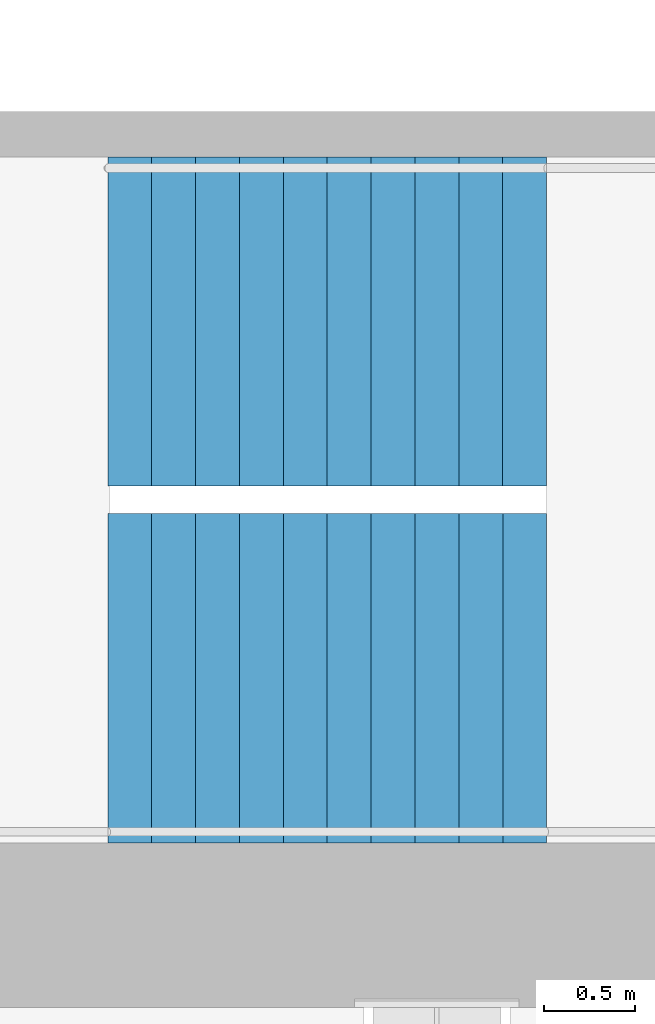
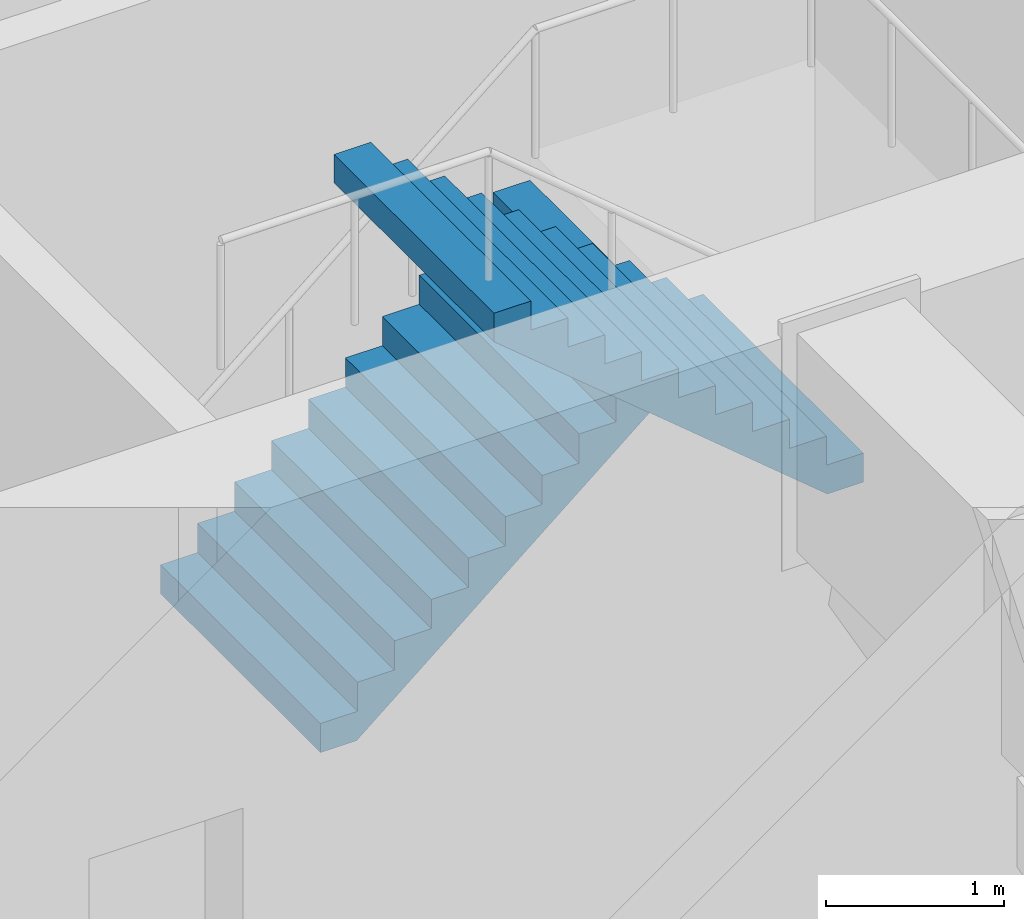
# One storey, part 30 of 33: 2 stair flights, 1 element without a shape of its own.
"""IFC4 building model written with IfcOpenShell, lengths in metres."""

from ifc_helpers import new_model, si_unit, direction, frame, origin, place, context, subcontext, project, spatial, triangles, material, type_object, element, aggregate, save


model = new_model("IFC4")

# Units and contexts
model_context = context("Model", 3, precision=1e-05, world=origin(), true_north=direction((0.0, 1.0)))
body_context = subcontext(model_context, "Body", "Model", "MODEL_VIEW")
ifc_project = project(units=[si_unit("LENGTHUNIT", "METRE"), si_unit("AREAUNIT", "SQUARE_METRE"), si_unit("VOLUMEUNIT", "CUBIC_METRE"), si_unit("PLANEANGLEUNIT", "RADIAN"), si_unit("MASSUNIT", "GRAM", prefix="KILO")], contexts=[model_context])

# Site, building, storey
site_placement = place(None, origin())
site = spatial("IfcSite", under=ifc_project, at=site_placement, CompositionType="ELEMENT")
building_placement = place(site_placement, origin())
building = spatial("IfcBuilding", under=site, at=building_placement, Name="Hakoniwa Tower and Hamabe Station Hall", CompositionType="ELEMENT")
storey_placement = place(building_placement, frame((0.0, 0.0, 175.800048828125)))
storey = spatial("IfcBuildingStorey", under=building, at=storey_placement, Name="L50", CompositionType="ELEMENT", Elevation=175.800048828125)

# Stair, stair flights
ifc_material_1 = material(Name="Concrete C40", Category="concrete")
stair_type = type_object("IfcStairType", Name="ESCAPE STAIR 1800", PredefinedType="HALF_TURN_STAIR", material=ifc_material_1)
stair_placement = place(storey_placement, origin())
stair = element("IfcStair", 1, at=stair_placement, inside=storey, type_object=stair_type, Name="Escape stair ST-4 L50", PredefinedType="HALF_TURN_STAIR")
ifc_material_2 = material(Name="Concrete C40", Category="concrete")
stair_flight_type = type_object("IfcStairFlightType", Name="STAIR FLIGHT 1800", PredefinedType="STRAIGHT", material=ifc_material_2)
stair_flight_1_placement = place(storey_placement, frame((23.39990234375, -4.64990234375, 0.0), z_axis=(0.0, 0.0, 1.0), x_axis=(1.0, 0.0, 0.0)))
stair_flight_1 = element("IfcStairFlight", 2, at=stair_flight_1_placement, type_object=stair_flight_type, Name="ST-4 flight 1", NumberOfRisers=11, NumberOfTreads=10, PredefinedType="STRAIGHT", RiserHeight=0.2, TreadLength=0.24, context=body_context, shape_type="Tessellation", body=[
    triangles([(0.0, 0.89990234375, 0.0), (0.234130859375, 0.89990234375, 0.0), (0.239990234375, 0.89990234375, 0.0048828125), (0.47998046875, 0.89990234375, 0.204833984375), (0.719970703125, 0.89990234375, 0.40478515625), (0.9599609375, 0.89990234375, 0.60498046875), (1.199951171875, 0.89990234375, 0.804931640625), (1.43994140625, 0.89990234375, 1.0048828125), (1.679931640625, 0.89990234375, 1.204833984375), (1.919921875, 0.89990234375, 1.40478515625), (2.159912109375, 0.89990234375, 1.60498046875), (2.39990234375, 0.89990234375, 1.804931640625), (2.39990234375, 0.89990234375, 2.0), (2.159912109375, 0.89990234375, 2.0), (2.159912109375, 0.89990234375, 1.800048828125), (1.919921875, 0.89990234375, 1.800048828125), (1.919921875, 0.89990234375, 1.60009765625), (1.679931640625, 0.89990234375, 1.60009765625), (1.679931640625, 0.89990234375, 1.39990234375), (1.43994140625, 0.89990234375, 1.39990234375), (1.43994140625, 0.89990234375, 1.199951171875), (1.199951171875, 0.89990234375, 1.199951171875), (1.199951171875, 0.89990234375, 1.0), (0.9599609375, 0.89990234375, 1.0), (0.9599609375, 0.89990234375, 0.800048828125), (0.719970703125, 0.89990234375, 0.800048828125), (0.719970703125, 0.89990234375, 0.60009765625), (0.47998046875, 0.89990234375, 0.60009765625), (0.47998046875, 0.89990234375, 0.39990234375), (0.239990234375, 0.89990234375, 0.39990234375), (0.239990234375, 0.89990234375, 0.199951171875), (0.234130859375, 0.89990234375, 0.199951171875), (0.0, 0.89990234375, 0.199951171875), (0.0, 0.06005859375, 0.0), (0.234130859375, 0.06005859375, 0.0), (0.239990234375, 0.06005859375, 0.0048828125), (0.47998046875, 0.06005859375, 0.204833984375), (0.719970703125, 0.06005859375, 0.40478515625), (0.9599609375, 0.06005859375, 0.60498046875), (1.199951171875, 0.06005859375, 0.804931640625), (1.43994140625, 0.06005859375, 1.0048828125), (1.679931640625, 0.06005859375, 1.204833984375), (1.919921875, 0.06005859375, 1.40478515625), (2.159912109375, 0.06005859375, 1.60498046875), (2.39990234375, 0.06005859375, 1.804931640625), (2.39990234375, 0.06005859375, 2.0), (2.159912109375, 0.06005859375, 2.0), (2.159912109375, 0.06005859375, 1.800048828125), (1.919921875, 0.06005859375, 1.800048828125), (1.919921875, 0.06005859375, 1.60009765625), (1.679931640625, 0.06005859375, 1.60009765625), (1.679931640625, 0.06005859375, 1.39990234375), (1.43994140625, 0.06005859375, 1.39990234375), (1.43994140625, 0.06005859375, 1.199951171875), (1.199951171875, 0.06005859375, 1.199951171875), (1.199951171875, 0.06005859375, 1.0), (0.9599609375, 0.06005859375, 1.0), (0.9599609375, 0.06005859375, 0.800048828125), (0.719970703125, 0.06005859375, 0.800048828125), (0.719970703125, 0.06005859375, 0.60009765625), (0.47998046875, 0.06005859375, 0.60009765625), (0.47998046875, 0.06005859375, 0.39990234375), (0.239990234375, 0.06005859375, 0.39990234375), (0.239990234375, 0.06005859375, 0.199951171875), (0.234130859375, 0.06005859375, 0.199951171875), (0.0, 0.06005859375, 0.199951171875), (0.0, 0.02001953125, 0.0), (0.234130859375, 0.02001953125, 0.0), (0.239990234375, 0.02001953125, 0.0048828125), (0.47998046875, 0.02001953125, 0.204833984375), (0.719970703125, 0.02001953125, 0.40478515625), (0.9599609375, 0.02001953125, 0.60498046875), (1.199951171875, 0.02001953125, 0.804931640625), (1.43994140625, 0.02001953125, 1.0048828125), (1.679931640625, 0.02001953125, 1.204833984375), (1.919921875, 0.02001953125, 1.40478515625), (2.159912109375, 0.02001953125, 1.60498046875), (2.39990234375, 0.02001953125, 1.804931640625), (2.39990234375, 0.02001953125, 2.0), (2.159912109375, 0.02001953125, 2.0), (2.159912109375, 0.02001953125, 1.800048828125), (1.919921875, 0.02001953125, 1.800048828125), (1.919921875, 0.02001953125, 1.60009765625), (1.679931640625, 0.02001953125, 1.60009765625), (1.679931640625, 0.02001953125, 1.39990234375), (1.43994140625, 0.02001953125, 1.39990234375), (1.43994140625, 0.02001953125, 1.199951171875), (1.199951171875, 0.02001953125, 1.199951171875), (1.199951171875, 0.02001953125, 1.0), (0.9599609375, 0.02001953125, 1.0), (0.9599609375, 0.02001953125, 0.800048828125), (0.719970703125, 0.02001953125, 0.800048828125), (0.719970703125, 0.02001953125, 0.60009765625), (0.47998046875, 0.02001953125, 0.60009765625), (0.47998046875, 0.02001953125, 0.39990234375), (0.239990234375, 0.02001953125, 0.39990234375), (0.239990234375, 0.02001953125, 0.199951171875), (0.234130859375, 0.02001953125, 0.199951171875), (0.0, 0.02001953125, 0.199951171875), (0.0, -0.02001953125, 0.0), (0.234130859375, -0.02001953125, 0.0), (0.239990234375, -0.02001953125, 0.0048828125), (0.47998046875, -0.02001953125, 0.204833984375), (0.719970703125, -0.02001953125, 0.40478515625), (0.9599609375, -0.02001953125, 0.60498046875), (1.199951171875, -0.02001953125, 0.804931640625), (1.43994140625, -0.02001953125, 1.0048828125), (1.679931640625, -0.02001953125, 1.204833984375), (1.919921875, -0.02001953125, 1.40478515625), (2.159912109375, -0.02001953125, 1.60498046875), (2.39990234375, -0.02001953125, 1.804931640625), (2.39990234375, -0.02001953125, 2.0), (2.159912109375, -0.02001953125, 2.0), (2.159912109375, -0.02001953125, 1.800048828125), (1.919921875, -0.02001953125, 1.800048828125), (1.919921875, -0.02001953125, 1.60009765625), (1.679931640625, -0.02001953125, 1.60009765625), (1.679931640625, -0.02001953125, 1.39990234375), (1.43994140625, -0.02001953125, 1.39990234375), (1.43994140625, -0.02001953125, 1.199951171875), (1.199951171875, -0.02001953125, 1.199951171875), (1.199951171875, -0.02001953125, 1.0), (0.9599609375, -0.02001953125, 1.0), (0.9599609375, -0.02001953125, 0.800048828125), (0.719970703125, -0.02001953125, 0.800048828125), (0.719970703125, -0.02001953125, 0.60009765625), (0.47998046875, -0.02001953125, 0.60009765625), (0.47998046875, -0.02001953125, 0.39990234375), (0.239990234375, -0.02001953125, 0.39990234375), (0.239990234375, -0.02001953125, 0.199951171875), (0.234130859375, -0.02001953125, 0.199951171875), (0.0, -0.02001953125, 0.199951171875), (0.0, -0.06005859375, 0.0), (0.234130859375, -0.06005859375, 0.0), (0.239990234375, -0.06005859375, 0.0048828125), (0.47998046875, -0.06005859375, 0.204833984375), (0.719970703125, -0.06005859375, 0.40478515625), (0.9599609375, -0.06005859375, 0.60498046875), (1.199951171875, -0.06005859375, 0.804931640625), (1.43994140625, -0.06005859375, 1.0048828125), (1.679931640625, -0.06005859375, 1.204833984375), (1.919921875, -0.06005859375, 1.40478515625), (2.159912109375, -0.06005859375, 1.60498046875), (2.39990234375, -0.06005859375, 1.804931640625), (2.39990234375, -0.06005859375, 2.0), (2.159912109375, -0.06005859375, 2.0), (2.159912109375, -0.06005859375, 1.800048828125), (1.919921875, -0.06005859375, 1.800048828125), (1.919921875, -0.06005859375, 1.60009765625), (1.679931640625, -0.06005859375, 1.60009765625), (1.679931640625, -0.06005859375, 1.39990234375), (1.43994140625, -0.06005859375, 1.39990234375), (1.43994140625, -0.06005859375, 1.199951171875), (1.199951171875, -0.06005859375, 1.199951171875), (1.199951171875, -0.06005859375, 1.0), (0.9599609375, -0.06005859375, 1.0), (0.9599609375, -0.06005859375, 0.800048828125), (0.719970703125, -0.06005859375, 0.800048828125), (0.719970703125, -0.06005859375, 0.60009765625), (0.47998046875, -0.06005859375, 0.60009765625), (0.47998046875, -0.06005859375, 0.39990234375), (0.239990234375, -0.06005859375, 0.39990234375), (0.239990234375, -0.06005859375, 0.199951171875), (0.234130859375, -0.06005859375, 0.199951171875), (0.0, -0.06005859375, 0.199951171875), (0.0, -0.89990234375, 0.0), (0.234130859375, -0.89990234375, 0.0), (0.239990234375, -0.89990234375, 0.0048828125), (0.47998046875, -0.89990234375, 0.204833984375), (0.719970703125, -0.89990234375, 0.40478515625), (0.9599609375, -0.89990234375, 0.60498046875), (1.199951171875, -0.89990234375, 0.804931640625), (1.43994140625, -0.89990234375, 1.0048828125), (1.679931640625, -0.89990234375, 1.204833984375), (1.919921875, -0.89990234375, 1.40478515625), (2.159912109375, -0.89990234375, 1.60498046875), (2.39990234375, -0.89990234375, 1.804931640625), (2.39990234375, -0.89990234375, 2.0), (2.159912109375, -0.89990234375, 2.0), (2.159912109375, -0.89990234375, 1.800048828125), (1.919921875, -0.89990234375, 1.800048828125), (1.919921875, -0.89990234375, 1.60009765625), (1.679931640625, -0.89990234375, 1.60009765625), (1.679931640625, -0.89990234375, 1.39990234375), (1.43994140625, -0.89990234375, 1.39990234375), (1.43994140625, -0.89990234375, 1.199951171875), (1.199951171875, -0.89990234375, 1.199951171875), (1.199951171875, -0.89990234375, 1.0), (0.9599609375, -0.89990234375, 1.0), (0.9599609375, -0.89990234375, 0.800048828125), (0.719970703125, -0.89990234375, 0.800048828125), (0.719970703125, -0.89990234375, 0.60009765625), (0.47998046875, -0.89990234375, 0.60009765625), (0.47998046875, -0.89990234375, 0.39990234375), (0.239990234375, -0.89990234375, 0.39990234375), (0.239990234375, -0.89990234375, 0.199951171875), (0.234130859375, -0.89990234375, 0.199951171875), (0.0, -0.89990234375, 0.199951171875)], [[2, 33, 32], [167, 197, 198], [2, 1, 33], [167, 198, 166], [3, 32, 31], [168, 196, 197], [3, 2, 32], [168, 197, 167], [4, 30, 29], [169, 194, 195], [4, 31, 30], [169, 195, 196], [4, 3, 31], [169, 196, 168], [5, 28, 27], [170, 192, 193], [5, 29, 28], [170, 193, 194], [5, 4, 29], [170, 194, 169], [6, 26, 25], [171, 190, 191], [6, 27, 26], [171, 191, 192], [6, 5, 27], [171, 192, 170], [7, 24, 23], [172, 188, 189], [7, 25, 24], [172, 189, 190], [7, 6, 25], [172, 190, 171], [8, 22, 21], [173, 186, 187], [8, 23, 22], [173, 187, 188], [8, 7, 23], [173, 188, 172], [9, 20, 19], [174, 184, 185], [9, 21, 20], [174, 185, 186], [9, 8, 21], [174, 186, 173], [10, 18, 17], [175, 182, 183], [10, 19, 18], [175, 183, 184], [10, 9, 19], [175, 184, 174], [11, 16, 15], [176, 180, 181], [11, 17, 16], [176, 181, 182], [11, 10, 17], [176, 182, 175], [12, 14, 13], [177, 178, 179], [12, 15, 14], [177, 179, 180], [12, 11, 15], [177, 180, 176], [1, 2, 35], [1, 35, 34], [34, 35, 68], [34, 68, 67], [67, 68, 101], [67, 101, 100], [100, 101, 134], [100, 134, 133], [133, 134, 167], [133, 167, 166], [2, 3, 36], [2, 36, 35], [35, 36, 69], [35, 69, 68], [68, 69, 102], [68, 102, 101], [101, 102, 135], [101, 135, 134], [134, 135, 168], [134, 168, 167], [3, 4, 37], [3, 37, 36], [36, 37, 70], [36, 70, 69], [69, 70, 103], [69, 103, 102], [102, 103, 136], [102, 136, 135], [135, 136, 169], [135, 169, 168], [4, 5, 38], [4, 38, 37], [37, 38, 71], [37, 71, 70], [70, 71, 104], [70, 104, 103], [103, 104, 137], [103, 137, 136], [136, 137, 170], [136, 170, 169], [5, 6, 39], [5, 39, 38], [38, 39, 72], [38, 72, 71], [71, 72, 105], [71, 105, 104], [104, 105, 138], [104, 138, 137], [137, 138, 171], [137, 171, 170], [6, 7, 40], [6, 40, 39], [39, 40, 73], [39, 73, 72], [72, 73, 106], [72, 106, 105], [105, 106, 139], [105, 139, 138], [138, 139, 172], [138, 172, 171], [7, 8, 41], [7, 41, 40], [40, 41, 74], [40, 74, 73], [73, 74, 107], [73, 107, 106], [106, 107, 140], [106, 140, 139], [139, 140, 173], [139, 173, 172], [8, 9, 42], [8, 42, 41], [41, 42, 75], [41, 75, 74], [74, 75, 108], [74, 108, 107], [107, 108, 141], [107, 141, 140], [140, 141, 174], [140, 174, 173], [9, 10, 43], [9, 43, 42], [42, 43, 76], [42, 76, 75], [75, 76, 109], [75, 109, 108], [108, 109, 142], [108, 142, 141], [141, 142, 175], [141, 175, 174], [10, 11, 44], [10, 44, 43], [43, 44, 77], [43, 77, 76], [76, 77, 110], [76, 110, 109], [109, 110, 143], [109, 143, 142], [142, 143, 176], [142, 176, 175], [11, 12, 45], [11, 45, 44], [44, 45, 78], [44, 78, 77], [77, 78, 111], [77, 111, 110], [110, 111, 144], [110, 144, 143], [143, 144, 177], [143, 177, 176], [12, 13, 46], [12, 46, 45], [45, 46, 79], [45, 79, 78], [78, 79, 112], [78, 112, 111], [111, 112, 145], [111, 145, 144], [144, 145, 178], [144, 178, 177], [13, 14, 47], [13, 47, 46], [46, 47, 80], [46, 80, 79], [79, 80, 113], [79, 113, 112], [112, 113, 146], [112, 146, 145], [145, 146, 179], [145, 179, 178], [14, 15, 48], [14, 48, 47], [47, 48, 81], [47, 81, 80], [80, 81, 114], [80, 114, 113], [113, 114, 147], [113, 147, 146], [146, 147, 180], [146, 180, 179], [15, 16, 49], [15, 49, 48], [48, 49, 82], [48, 82, 81], [81, 82, 115], [81, 115, 114], [114, 115, 148], [114, 148, 147], [147, 148, 181], [147, 181, 180], [16, 17, 50], [16, 50, 49], [49, 50, 83], [49, 83, 82], [82, 83, 116], [82, 116, 115], [115, 116, 149], [115, 149, 148], [148, 149, 182], [148, 182, 181], [17, 18, 51], [17, 51, 50], [50, 51, 84], [50, 84, 83], [83, 84, 117], [83, 117, 116], [116, 117, 150], [116, 150, 149], [149, 150, 183], [149, 183, 182], [18, 19, 52], [18, 52, 51], [51, 52, 85], [51, 85, 84], [84, 85, 118], [84, 118, 117], [117, 118, 151], [117, 151, 150], [150, 151, 184], [150, 184, 183], [19, 20, 53], [19, 53, 52], [52, 53, 86], [52, 86, 85], [85, 86, 119], [85, 119, 118], [118, 119, 152], [118, 152, 151], [151, 152, 185], [151, 185, 184], [20, 21, 54], [20, 54, 53], [53, 54, 87], [53, 87, 86], [86, 87, 120], [86, 120, 119], [119, 120, 153], [119, 153, 152], [152, 153, 186], [152, 186, 185], [21, 22, 55], [21, 55, 54], [54, 55, 88], [54, 88, 87], [87, 88, 121], [87, 121, 120], [120, 121, 154], [120, 154, 153], [153, 154, 187], [153, 187, 186], [22, 23, 56], [22, 56, 55], [55, 56, 89], [55, 89, 88], [88, 89, 122], [88, 122, 121], [121, 122, 155], [121, 155, 154], [154, 155, 188], [154, 188, 187], [23, 24, 57], [23, 57, 56], [56, 57, 90], [56, 90, 89], [89, 90, 123], [89, 123, 122], [122, 123, 156], [122, 156, 155], [155, 156, 189], [155, 189, 188], [24, 25, 58], [24, 58, 57], [57, 58, 91], [57, 91, 90], [90, 91, 124], [90, 124, 123], [123, 124, 157], [123, 157, 156], [156, 157, 190], [156, 190, 189], [25, 26, 59], [25, 59, 58], [58, 59, 92], [58, 92, 91], [91, 92, 125], [91, 125, 124], [124, 125, 158], [124, 158, 157], [157, 158, 191], [157, 191, 190], [26, 27, 60], [26, 60, 59], [59, 60, 93], [59, 93, 92], [92, 93, 126], [92, 126, 125], [125, 126, 159], [125, 159, 158], [158, 159, 192], [158, 192, 191], [27, 28, 61], [27, 61, 60], [60, 61, 94], [60, 94, 93], [93, 94, 127], [93, 127, 126], [126, 127, 160], [126, 160, 159], [159, 160, 193], [159, 193, 192], [28, 29, 62], [28, 62, 61], [61, 62, 95], [61, 95, 94], [94, 95, 128], [94, 128, 127], [127, 128, 161], [127, 161, 160], [160, 161, 194], [160, 194, 193], [29, 30, 63], [29, 63, 62], [62, 63, 96], [62, 96, 95], [95, 96, 129], [95, 129, 128], [128, 129, 162], [128, 162, 161], [161, 162, 195], [161, 195, 194], [30, 31, 64], [30, 64, 63], [63, 64, 97], [63, 97, 96], [96, 97, 130], [96, 130, 129], [129, 130, 163], [129, 163, 162], [162, 163, 196], [162, 196, 195], [31, 32, 65], [31, 65, 64], [64, 65, 98], [64, 98, 97], [97, 98, 131], [97, 131, 130], [130, 131, 164], [130, 164, 163], [163, 164, 197], [163, 197, 196], [32, 33, 66], [32, 66, 65], [65, 66, 99], [65, 99, 98], [98, 99, 132], [98, 132, 131], [131, 132, 165], [131, 165, 164], [164, 165, 198], [164, 198, 197], [33, 1, 34], [33, 34, 66], [66, 34, 67], [66, 67, 99], [99, 67, 100], [99, 100, 132], [132, 100, 133], [132, 133, 165], [165, 133, 166], [165, 166, 198]], closed=True),
])
stair_flight_2_placement = place(storey_placement, frame((25.800048828125, -6.60009765625, 2.199951171875), z_axis=(0.0, 0.0, 1.0), x_axis=(-1.0, 0.0, 0.0)))
stair_flight_2 = element("IfcStairFlight", 3, at=stair_flight_2_placement, type_object=stair_flight_type, Name="ST-4 flight 2", NumberOfRisers=11, NumberOfTreads=10, PredefinedType="STRAIGHT", RiserHeight=0.2, TreadLength=0.24, context=body_context, shape_type="Tessellation", body=[
    triangles([(0.0, 0.89990234375, 0.0), (0.234130859375, 0.89990234375, 0.0), (0.239990234375, 0.89990234375, 0.0048828125), (0.47998046875, 0.89990234375, 0.204833984375), (0.719970703125, 0.89990234375, 0.40478515625), (0.9599609375, 0.89990234375, 0.60498046875), (1.199951171875, 0.89990234375, 0.804931640625), (1.43994140625, 0.89990234375, 1.0048828125), (1.679931640625, 0.89990234375, 1.204833984375), (1.919921875, 0.89990234375, 1.40478515625), (2.159912109375, 0.89990234375, 1.60498046875), (2.39990234375, 0.89990234375, 1.804931640625), (2.39990234375, 0.89990234375, 2.0), (2.159912109375, 0.89990234375, 2.0), (2.159912109375, 0.89990234375, 1.800048828125), (1.919921875, 0.89990234375, 1.800048828125), (1.919921875, 0.89990234375, 1.60009765625), (1.679931640625, 0.89990234375, 1.60009765625), (1.679931640625, 0.89990234375, 1.39990234375), (1.43994140625, 0.89990234375, 1.39990234375), (1.43994140625, 0.89990234375, 1.199951171875), (1.199951171875, 0.89990234375, 1.199951171875), (1.199951171875, 0.89990234375, 1.0), (0.9599609375, 0.89990234375, 1.0), (0.9599609375, 0.89990234375, 0.800048828125), (0.719970703125, 0.89990234375, 0.800048828125), (0.719970703125, 0.89990234375, 0.60009765625), (0.47998046875, 0.89990234375, 0.60009765625), (0.47998046875, 0.89990234375, 0.39990234375), (0.239990234375, 0.89990234375, 0.39990234375), (0.239990234375, 0.89990234375, 0.199951171875), (0.234130859375, 0.89990234375, 0.199951171875), (0.0, 0.89990234375, 0.199951171875), (0.0, 0.06005859375, 0.0), (0.234130859375, 0.06005859375, 0.0), (0.239990234375, 0.06005859375, 0.0048828125), (0.47998046875, 0.06005859375, 0.204833984375), (0.719970703125, 0.06005859375, 0.40478515625), (0.9599609375, 0.06005859375, 0.60498046875), (1.199951171875, 0.06005859375, 0.804931640625), (1.43994140625, 0.06005859375, 1.0048828125), (1.679931640625, 0.06005859375, 1.204833984375), (1.919921875, 0.06005859375, 1.40478515625), (2.159912109375, 0.06005859375, 1.60498046875), (2.39990234375, 0.06005859375, 1.804931640625), (2.39990234375, 0.06005859375, 2.0), (2.159912109375, 0.06005859375, 2.0), (2.159912109375, 0.06005859375, 1.800048828125), (1.919921875, 0.06005859375, 1.800048828125), (1.919921875, 0.06005859375, 1.60009765625), (1.679931640625, 0.06005859375, 1.60009765625), (1.679931640625, 0.06005859375, 1.39990234375), (1.43994140625, 0.06005859375, 1.39990234375), (1.43994140625, 0.06005859375, 1.199951171875), (1.199951171875, 0.06005859375, 1.199951171875), (1.199951171875, 0.06005859375, 1.0), (0.9599609375, 0.06005859375, 1.0), (0.9599609375, 0.06005859375, 0.800048828125), (0.719970703125, 0.06005859375, 0.800048828125), (0.719970703125, 0.06005859375, 0.60009765625), (0.47998046875, 0.06005859375, 0.60009765625), (0.47998046875, 0.06005859375, 0.39990234375), (0.239990234375, 0.06005859375, 0.39990234375), (0.239990234375, 0.06005859375, 0.199951171875), (0.234130859375, 0.06005859375, 0.199951171875), (0.0, 0.06005859375, 0.199951171875), (0.0, 0.02001953125, 0.0), (0.234130859375, 0.02001953125, 0.0), (0.239990234375, 0.02001953125, 0.0048828125), (0.47998046875, 0.02001953125, 0.204833984375), (0.719970703125, 0.02001953125, 0.40478515625), (0.9599609375, 0.02001953125, 0.60498046875), (1.199951171875, 0.02001953125, 0.804931640625), (1.43994140625, 0.02001953125, 1.0048828125), (1.679931640625, 0.02001953125, 1.204833984375), (1.919921875, 0.02001953125, 1.40478515625), (2.159912109375, 0.02001953125, 1.60498046875), (2.39990234375, 0.02001953125, 1.804931640625), (2.39990234375, 0.02001953125, 2.0), (2.159912109375, 0.02001953125, 2.0), (2.159912109375, 0.02001953125, 1.800048828125), (1.919921875, 0.02001953125, 1.800048828125), (1.919921875, 0.02001953125, 1.60009765625), (1.679931640625, 0.02001953125, 1.60009765625), (1.679931640625, 0.02001953125, 1.39990234375), (1.43994140625, 0.02001953125, 1.39990234375), (1.43994140625, 0.02001953125, 1.199951171875), (1.199951171875, 0.02001953125, 1.199951171875), (1.199951171875, 0.02001953125, 1.0), (0.9599609375, 0.02001953125, 1.0), (0.9599609375, 0.02001953125, 0.800048828125), (0.719970703125, 0.02001953125, 0.800048828125), (0.719970703125, 0.02001953125, 0.60009765625), (0.47998046875, 0.02001953125, 0.60009765625), (0.47998046875, 0.02001953125, 0.39990234375), (0.239990234375, 0.02001953125, 0.39990234375), (0.239990234375, 0.02001953125, 0.199951171875), (0.234130859375, 0.02001953125, 0.199951171875), (0.0, 0.02001953125, 0.199951171875), (0.0, -0.02001953125, 0.0), (0.234130859375, -0.02001953125, 0.0), (0.239990234375, -0.02001953125, 0.0048828125), (0.47998046875, -0.02001953125, 0.204833984375), (0.719970703125, -0.02001953125, 0.40478515625), (0.9599609375, -0.02001953125, 0.60498046875), (1.199951171875, -0.02001953125, 0.804931640625), (1.43994140625, -0.02001953125, 1.0048828125), (1.679931640625, -0.02001953125, 1.204833984375), (1.919921875, -0.02001953125, 1.40478515625), (2.159912109375, -0.02001953125, 1.60498046875), (2.39990234375, -0.02001953125, 1.804931640625), (2.39990234375, -0.02001953125, 2.0), (2.159912109375, -0.02001953125, 2.0), (2.159912109375, -0.02001953125, 1.800048828125), (1.919921875, -0.02001953125, 1.800048828125), (1.919921875, -0.02001953125, 1.60009765625), (1.679931640625, -0.02001953125, 1.60009765625), (1.679931640625, -0.02001953125, 1.39990234375), (1.43994140625, -0.02001953125, 1.39990234375), (1.43994140625, -0.02001953125, 1.199951171875), (1.199951171875, -0.02001953125, 1.199951171875), (1.199951171875, -0.02001953125, 1.0), (0.9599609375, -0.02001953125, 1.0), (0.9599609375, -0.02001953125, 0.800048828125), (0.719970703125, -0.02001953125, 0.800048828125), (0.719970703125, -0.02001953125, 0.60009765625), (0.47998046875, -0.02001953125, 0.60009765625), (0.47998046875, -0.02001953125, 0.39990234375), (0.239990234375, -0.02001953125, 0.39990234375), (0.239990234375, -0.02001953125, 0.199951171875), (0.234130859375, -0.02001953125, 0.199951171875), (0.0, -0.02001953125, 0.199951171875), (0.0, -0.06005859375, 0.0), (0.234130859375, -0.06005859375, 0.0), (0.239990234375, -0.06005859375, 0.0048828125), (0.47998046875, -0.06005859375, 0.204833984375), (0.719970703125, -0.06005859375, 0.40478515625), (0.9599609375, -0.06005859375, 0.60498046875), (1.199951171875, -0.06005859375, 0.804931640625), (1.43994140625, -0.06005859375, 1.0048828125), (1.679931640625, -0.06005859375, 1.204833984375), (1.919921875, -0.06005859375, 1.40478515625), (2.159912109375, -0.06005859375, 1.60498046875), (2.39990234375, -0.06005859375, 1.804931640625), (2.39990234375, -0.06005859375, 2.0), (2.159912109375, -0.06005859375, 2.0), (2.159912109375, -0.06005859375, 1.800048828125), (1.919921875, -0.06005859375, 1.800048828125), (1.919921875, -0.06005859375, 1.60009765625), (1.679931640625, -0.06005859375, 1.60009765625), (1.679931640625, -0.06005859375, 1.39990234375), (1.43994140625, -0.06005859375, 1.39990234375), (1.43994140625, -0.06005859375, 1.199951171875), (1.199951171875, -0.06005859375, 1.199951171875), (1.199951171875, -0.06005859375, 1.0), (0.9599609375, -0.06005859375, 1.0), (0.9599609375, -0.06005859375, 0.800048828125), (0.719970703125, -0.06005859375, 0.800048828125), (0.719970703125, -0.06005859375, 0.60009765625), (0.47998046875, -0.06005859375, 0.60009765625), (0.47998046875, -0.06005859375, 0.39990234375), (0.239990234375, -0.06005859375, 0.39990234375), (0.239990234375, -0.06005859375, 0.199951171875), (0.234130859375, -0.06005859375, 0.199951171875), (0.0, -0.06005859375, 0.199951171875), (0.0, -0.89990234375, 0.0), (0.234130859375, -0.89990234375, 0.0), (0.239990234375, -0.89990234375, 0.0048828125), (0.47998046875, -0.89990234375, 0.204833984375), (0.719970703125, -0.89990234375, 0.40478515625), (0.9599609375, -0.89990234375, 0.60498046875), (1.199951171875, -0.89990234375, 0.804931640625), (1.43994140625, -0.89990234375, 1.0048828125), (1.679931640625, -0.89990234375, 1.204833984375), (1.919921875, -0.89990234375, 1.40478515625), (2.159912109375, -0.89990234375, 1.60498046875), (2.39990234375, -0.89990234375, 1.804931640625), (2.39990234375, -0.89990234375, 2.0), (2.159912109375, -0.89990234375, 2.0), (2.159912109375, -0.89990234375, 1.800048828125), (1.919921875, -0.89990234375, 1.800048828125), (1.919921875, -0.89990234375, 1.60009765625), (1.679931640625, -0.89990234375, 1.60009765625), (1.679931640625, -0.89990234375, 1.39990234375), (1.43994140625, -0.89990234375, 1.39990234375), (1.43994140625, -0.89990234375, 1.199951171875), (1.199951171875, -0.89990234375, 1.199951171875), (1.199951171875, -0.89990234375, 1.0), (0.9599609375, -0.89990234375, 1.0), (0.9599609375, -0.89990234375, 0.800048828125), (0.719970703125, -0.89990234375, 0.800048828125), (0.719970703125, -0.89990234375, 0.60009765625), (0.47998046875, -0.89990234375, 0.60009765625), (0.47998046875, -0.89990234375, 0.39990234375), (0.239990234375, -0.89990234375, 0.39990234375), (0.239990234375, -0.89990234375, 0.199951171875), (0.234130859375, -0.89990234375, 0.199951171875), (0.0, -0.89990234375, 0.199951171875)], [[2, 33, 32], [167, 197, 198], [2, 1, 33], [167, 198, 166], [3, 32, 31], [168, 196, 197], [3, 2, 32], [168, 197, 167], [4, 30, 29], [169, 194, 195], [4, 31, 30], [169, 195, 196], [4, 3, 31], [169, 196, 168], [5, 28, 27], [170, 192, 193], [5, 29, 28], [170, 193, 194], [5, 4, 29], [170, 194, 169], [6, 26, 25], [171, 190, 191], [6, 27, 26], [171, 191, 192], [6, 5, 27], [171, 192, 170], [7, 24, 23], [172, 188, 189], [7, 25, 24], [172, 189, 190], [7, 6, 25], [172, 190, 171], [8, 22, 21], [173, 186, 187], [8, 23, 22], [173, 187, 188], [8, 7, 23], [173, 188, 172], [9, 20, 19], [174, 184, 185], [9, 21, 20], [174, 185, 186], [9, 8, 21], [174, 186, 173], [10, 18, 17], [175, 182, 183], [10, 19, 18], [175, 183, 184], [10, 9, 19], [175, 184, 174], [11, 16, 15], [176, 180, 181], [11, 17, 16], [176, 181, 182], [11, 10, 17], [176, 182, 175], [12, 14, 13], [177, 178, 179], [12, 15, 14], [177, 179, 180], [12, 11, 15], [177, 180, 176], [1, 2, 35], [1, 35, 34], [34, 35, 68], [34, 68, 67], [67, 68, 101], [67, 101, 100], [100, 101, 134], [100, 134, 133], [133, 134, 167], [133, 167, 166], [2, 3, 36], [2, 36, 35], [35, 36, 69], [35, 69, 68], [68, 69, 102], [68, 102, 101], [101, 102, 135], [101, 135, 134], [134, 135, 168], [134, 168, 167], [3, 4, 37], [3, 37, 36], [36, 37, 70], [36, 70, 69], [69, 70, 103], [69, 103, 102], [102, 103, 136], [102, 136, 135], [135, 136, 169], [135, 169, 168], [4, 5, 38], [4, 38, 37], [37, 38, 71], [37, 71, 70], [70, 71, 104], [70, 104, 103], [103, 104, 137], [103, 137, 136], [136, 137, 170], [136, 170, 169], [5, 6, 39], [5, 39, 38], [38, 39, 72], [38, 72, 71], [71, 72, 105], [71, 105, 104], [104, 105, 138], [104, 138, 137], [137, 138, 171], [137, 171, 170], [6, 7, 40], [6, 40, 39], [39, 40, 73], [39, 73, 72], [72, 73, 106], [72, 106, 105], [105, 106, 139], [105, 139, 138], [138, 139, 172], [138, 172, 171], [7, 8, 41], [7, 41, 40], [40, 41, 74], [40, 74, 73], [73, 74, 107], [73, 107, 106], [106, 107, 140], [106, 140, 139], [139, 140, 173], [139, 173, 172], [8, 9, 42], [8, 42, 41], [41, 42, 75], [41, 75, 74], [74, 75, 108], [74, 108, 107], [107, 108, 141], [107, 141, 140], [140, 141, 174], [140, 174, 173], [9, 10, 43], [9, 43, 42], [42, 43, 76], [42, 76, 75], [75, 76, 109], [75, 109, 108], [108, 109, 142], [108, 142, 141], [141, 142, 175], [141, 175, 174], [10, 11, 44], [10, 44, 43], [43, 44, 77], [43, 77, 76], [76, 77, 110], [76, 110, 109], [109, 110, 143], [109, 143, 142], [142, 143, 176], [142, 176, 175], [11, 12, 45], [11, 45, 44], [44, 45, 78], [44, 78, 77], [77, 78, 111], [77, 111, 110], [110, 111, 144], [110, 144, 143], [143, 144, 177], [143, 177, 176], [12, 13, 46], [12, 46, 45], [45, 46, 79], [45, 79, 78], [78, 79, 112], [78, 112, 111], [111, 112, 145], [111, 145, 144], [144, 145, 178], [144, 178, 177], [13, 14, 47], [13, 47, 46], [46, 47, 80], [46, 80, 79], [79, 80, 113], [79, 113, 112], [112, 113, 146], [112, 146, 145], [145, 146, 179], [145, 179, 178], [14, 15, 48], [14, 48, 47], [47, 48, 81], [47, 81, 80], [80, 81, 114], [80, 114, 113], [113, 114, 147], [113, 147, 146], [146, 147, 180], [146, 180, 179], [15, 16, 49], [15, 49, 48], [48, 49, 82], [48, 82, 81], [81, 82, 115], [81, 115, 114], [114, 115, 148], [114, 148, 147], [147, 148, 181], [147, 181, 180], [16, 17, 50], [16, 50, 49], [49, 50, 83], [49, 83, 82], [82, 83, 116], [82, 116, 115], [115, 116, 149], [115, 149, 148], [148, 149, 182], [148, 182, 181], [17, 18, 51], [17, 51, 50], [50, 51, 84], [50, 84, 83], [83, 84, 117], [83, 117, 116], [116, 117, 150], [116, 150, 149], [149, 150, 183], [149, 183, 182], [18, 19, 52], [18, 52, 51], [51, 52, 85], [51, 85, 84], [84, 85, 118], [84, 118, 117], [117, 118, 151], [117, 151, 150], [150, 151, 184], [150, 184, 183], [19, 20, 53], [19, 53, 52], [52, 53, 86], [52, 86, 85], [85, 86, 119], [85, 119, 118], [118, 119, 152], [118, 152, 151], [151, 152, 185], [151, 185, 184], [20, 21, 54], [20, 54, 53], [53, 54, 87], [53, 87, 86], [86, 87, 120], [86, 120, 119], [119, 120, 153], [119, 153, 152], [152, 153, 186], [152, 186, 185], [21, 22, 55], [21, 55, 54], [54, 55, 88], [54, 88, 87], [87, 88, 121], [87, 121, 120], [120, 121, 154], [120, 154, 153], [153, 154, 187], [153, 187, 186], [22, 23, 56], [22, 56, 55], [55, 56, 89], [55, 89, 88], [88, 89, 122], [88, 122, 121], [121, 122, 155], [121, 155, 154], [154, 155, 188], [154, 188, 187], [23, 24, 57], [23, 57, 56], [56, 57, 90], [56, 90, 89], [89, 90, 123], [89, 123, 122], [122, 123, 156], [122, 156, 155], [155, 156, 189], [155, 189, 188], [24, 25, 58], [24, 58, 57], [57, 58, 91], [57, 91, 90], [90, 91, 124], [90, 124, 123], [123, 124, 157], [123, 157, 156], [156, 157, 190], [156, 190, 189], [25, 26, 59], [25, 59, 58], [58, 59, 92], [58, 92, 91], [91, 92, 125], [91, 125, 124], [124, 125, 158], [124, 158, 157], [157, 158, 191], [157, 191, 190], [26, 27, 60], [26, 60, 59], [59, 60, 93], [59, 93, 92], [92, 93, 126], [92, 126, 125], [125, 126, 159], [125, 159, 158], [158, 159, 192], [158, 192, 191], [27, 28, 61], [27, 61, 60], [60, 61, 94], [60, 94, 93], [93, 94, 127], [93, 127, 126], [126, 127, 160], [126, 160, 159], [159, 160, 193], [159, 193, 192], [28, 29, 62], [28, 62, 61], [61, 62, 95], [61, 95, 94], [94, 95, 128], [94, 128, 127], [127, 128, 161], [127, 161, 160], [160, 161, 194], [160, 194, 193], [29, 30, 63], [29, 63, 62], [62, 63, 96], [62, 96, 95], [95, 96, 129], [95, 129, 128], [128, 129, 162], [128, 162, 161], [161, 162, 195], [161, 195, 194], [30, 31, 64], [30, 64, 63], [63, 64, 97], [63, 97, 96], [96, 97, 130], [96, 130, 129], [129, 130, 163], [129, 163, 162], [162, 163, 196], [162, 196, 195], [31, 32, 65], [31, 65, 64], [64, 65, 98], [64, 98, 97], [97, 98, 131], [97, 131, 130], [130, 131, 164], [130, 164, 163], [163, 164, 197], [163, 197, 196], [32, 33, 66], [32, 66, 65], [65, 66, 99], [65, 99, 98], [98, 99, 132], [98, 132, 131], [131, 132, 165], [131, 165, 164], [164, 165, 198], [164, 198, 197], [33, 1, 34], [33, 34, 66], [66, 34, 67], [66, 67, 99], [99, 67, 100], [99, 100, 132], [132, 100, 133], [132, 133, 165], [165, 133, 166], [165, 166, 198]], closed=True),
])
aggregate(stair, [stair_flight_1, stair_flight_2])

save(model, "model.ifc")
